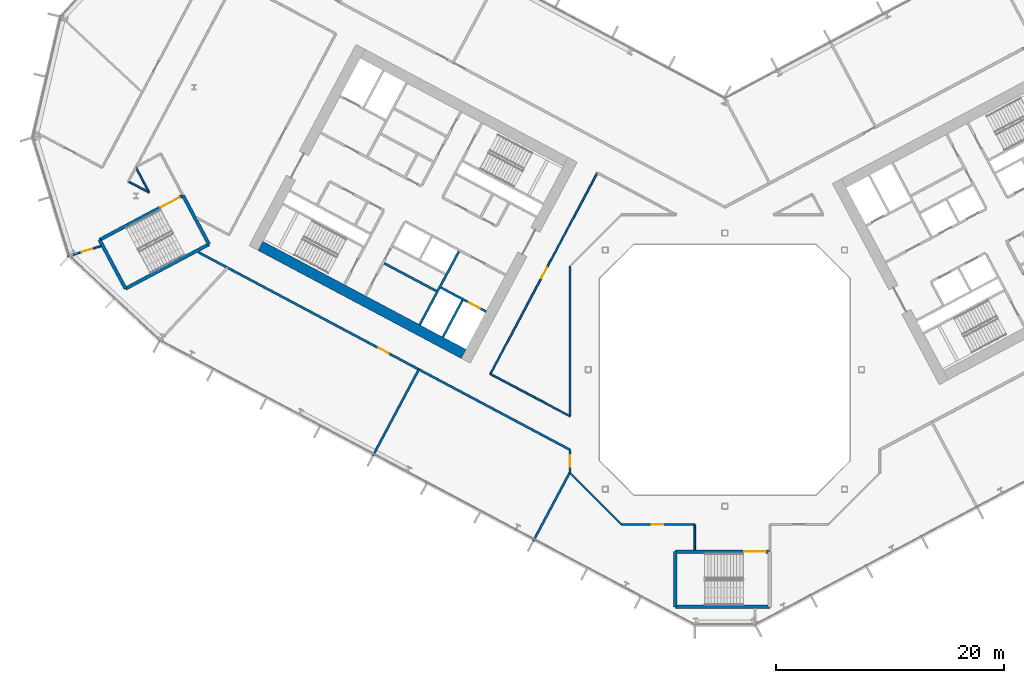
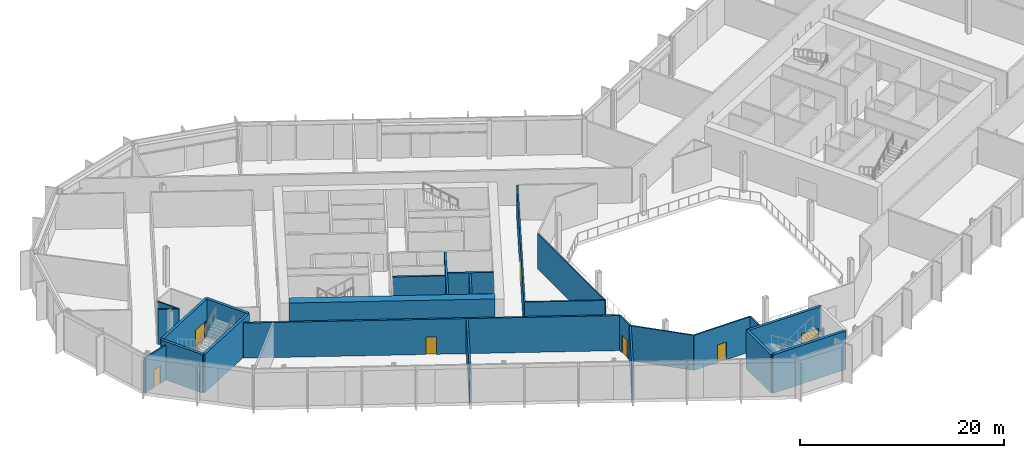
# One storey, part 14 of 31: 25 walls, 8 doors, 8 openings.
"""IFC4 building model written with IfcOpenShell, lengths in metres."""

from ifc_helpers import new_model, si_unit, direction, frame, frame_2d, origin, place, context, subcontext, project, spatial, rectangle, extrude, material, layer, layer_set, type_object, element, fill, save


model = new_model("IFC4")

# Units and contexts
model_context = context("Model", 3, precision=1e-05, world=origin(), true_north=direction((0.0, 1.0)))
body_context = subcontext(model_context, "Body", "Model", "MODEL_VIEW")
ifc_project = project(units=[si_unit("LENGTHUNIT", "METRE"), si_unit("AREAUNIT", "SQUARE_METRE"), si_unit("VOLUMEUNIT", "CUBIC_METRE"), si_unit("PLANEANGLEUNIT", "RADIAN"), si_unit("MASSUNIT", "GRAM", prefix="KILO")], contexts=[model_context])

# Site, building, storey
site_placement = place(None, origin())
site = spatial("IfcSite", under=ifc_project, at=site_placement, CompositionType="ELEMENT")
building_placement = place(site_placement, origin())
building = spatial("IfcBuilding", under=site, at=building_placement, Name="Cormorant Relay Tower", CompositionType="ELEMENT")
storey_placement = place(building_placement, frame((0.0, 0.0, 103.0)))
storey = spatial("IfcBuildingStorey", under=building, at=storey_placement, Name="L20", CompositionType="ELEMENT", Elevation=103.0)

# Walls
ifc_material_1 = material(Name="Concrete 40 MPa", Category="concrete")
ifc_layer_1 = layer(ifc_material_1, 0.199951171875)
ifc_layer_set_1 = layer_set([ifc_layer_1], Name="Core internal wall 200")
wall_type_1 = type_object("IfcWallType", Name="Core internal wall 200", PredefinedType="SOLIDWALL", material=ifc_layer_set_1)
wall_1_placement = place(storey_placement, frame((-25.326416015625, 6.8974609375, 0.0), z_axis=(0.0, 0.0, 1.0), x_axis=(-0.882953967957, 0.469459572775, 0.0)))
element("IfcWall", 1, at=wall_1_placement, inside=storey, type_object=wall_type_1, Name="L20 core A shaft and room wall", PredefinedType="SOLIDWALL", context=body_context, shape_type="SweptSolid", body=[
    extrude(rectangle(XDim=5.199951171875, YDim=0.199951171875, at=frame_2d((2.60009765625, 0.0))), origin(), (0.0, 0.0, 1.0), 4.60009765625),
])
ifc_material_2 = material(Name="Concrete 50 MPa", Category="concrete")
ifc_layer_2 = layer(ifc_material_2, 0.199951171875)
ifc_layer_set_2 = layer_set([ifc_layer_2], Name="Core shaft wall 200")
wall_type_2 = type_object("IfcWallType", Name="Core shaft wall 200", PredefinedType="SHEAR", material=ifc_layer_set_2)
wall_2_placement = place(storey_placement, frame((-23.04296875, 6.07958984375, 0.0), z_axis=(0.0, 0.0, 1.0), x_axis=(-0.469494272526, -0.882935517501, 0.0)))
element("IfcWall", 2, at=wall_2_placement, inside=storey, type_object=wall_type_2, Name="L20 core A shaft wall", PredefinedType="SHEAR", context=body_context, shape_type="SweptSolid", body=[
    extrude(rectangle(XDim=3.64990234375, YDim=0.199951171875, at=frame_2d((1.824951171875, 0.0))), origin(), (0.0, 0.0, 1.0), 4.60009765625),
])
wall_3_placement = place(storey_placement, frame((-23.360107421875, 10.38232421875, 0.0), z_axis=(0.0, 0.0, 1.0), x_axis=(-0.469480409012, -0.88294288918, 0.0)))
element("IfcWall", 3, at=wall_3_placement, inside=storey, type_object=wall_type_2, Name="L20 core A shaft wall", PredefinedType="SHEAR", context=body_context, shape_type="SweptSolid", body=[
    extrude(rectangle(XDim=7.300048828125, YDim=0.199951171875, at=frame_2d((3.64990234375, 0.0))), origin(), (0.0, 0.0, 1.0), 4.60009765625),
])

# Wall, opening, door
wall_4_placement = place(storey_placement, frame((-20.96533203125, 5.088134765625, 0.0), z_axis=(0.0, 0.0, 1.0), x_axis=(-0.882925986334, 0.469512196493, 0.0)))
wall_4 = element("IfcWall", 4, at=wall_4_placement, inside=storey, type_object=wall_type_2, Name="L20 core A shaft wall", PredefinedType="SHEAR", context=body_context, shape_type="SweptSolid", body=[
    extrude(rectangle(XDim=4.5, YDim=0.199951171875, at=frame_2d((2.25, 0.0))), origin(), (0.0, 0.0, 1.0), 4.60009765625),
])
opening_1_placement = place(wall_4_placement, frame((0.60009765625, 0.0, 0.0)))
opening_1 = element("IfcOpeningElement", 5, at=opening_1_placement, cuts=wall_4, Name="Opening LD1-027", PredefinedType="OPENING", context=body_context, shape_type="SweptSolid", body=[
    extrude(rectangle(XDim=1.10009765625, YDim=2.10009765625, at=frame_2d((0.550048828125, 1.050048828125))), frame((0.0, 0.10986328125, 0.0), z_axis=(0.0, -1.0, 0.0), x_axis=(1.0, 0.0, 0.0)), (0.0, 0.0, 1.0), 0.219970703125),
])
ifc_material_3 = material(Name="Stainless steel 316", Category="steel")
door_type_1 = type_object("IfcDoorType", Name="Lift landing door 1100x2100", OperationType="DOUBLE_DOOR_SLIDING", PredefinedType="DOOR", material=ifc_material_3)
door_1_placement = place(opening_1_placement, origin())
door_1 = element("IfcDoor", 6, at=door_1_placement, inside=storey, type_object=door_type_1, Name="FF1 landing door", OperationType="DOUBLE_DOOR_SLIDING", OverallHeight=2.10009765625, OverallWidth=1.10009765625, PredefinedType="DOOR", context=body_context, shape_type="SweptSolid", body=[
    extrude(rectangle(XDim=1.10009765625, YDim=2.10009765625, at=frame_2d((0.550048828125, 1.050048828125))), frame((0.0, 0.02490234375, 0.0), z_axis=(0.0, -1.0, 0.0), x_axis=(1.0, 0.0, 0.0)), (0.0, 0.0, 1.0), 0.050048828125),
])
fill(opening_1, door_1)

# Walls
ifc_material_4 = material(Name="Concrete 70 MPa", Category="concrete")
ifc_layer_3 = layer(ifc_material_4, 0.89990234375)
ifc_layer_set_3 = layer_set([ifc_layer_3], Name="Core wall 900")
wall_type_3 = type_object("IfcWallType", Name="Core wall 900", PredefinedType="SHEAR", material=ifc_layer_set_3)
wall_5_placement = place(storey_placement, frame((-22.93701171875, 1.3798828125, 0.0), z_axis=(0.0, 0.0, 1.0), x_axis=(-0.88295276571, 0.46946183394, 0.0)))
element("IfcWall", 7, at=wall_5_placement, inside=storey, type_object=wall_type_3, Name="L20 core A wall", PredefinedType="SHEAR", context=body_context, shape_type="SweptSolid", body=[
    extrude(rectangle(XDim=20.199951171875, YDim=0.89990234375, at=frame_2d((10.10009765625, 0.0))), origin(), (0.0, 0.0, 1.0), 4.60009765625),
])
ifc_material_5 = material(Name="Fire-rated gypsum board partition")
ifc_layer_4 = layer(ifc_material_5, 0.199951171875)
ifc_layer_set_4 = layer_set([ifc_layer_4], Name="Fire-rated gypsum partition 200")
wall_type_4 = type_object("IfcWallType", Name="Fire-rated gypsum partition 200", PredefinedType="PARTITIONING", material=ifc_layer_set_4)
wall_6_placement = place(storey_placement, frame((-26.87109375, 0.01708984375, 0.0), z_axis=(0.0, 0.0, 1.0), x_axis=(-0.469522575087, -0.882920467247, 0.0)))
element("IfcWall", 8, at=wall_6_placement, inside=storey, type_object=wall_type_4, Name="wall/L20/part/7", PredefinedType="PARTITIONING", context=body_context, shape_type="SweptSolid", body=[
    extrude(rectangle(XDim=8.599853515625, YDim=0.199951171875, at=frame_2d((4.2998046875, 0.0))), origin(), (0.0, 0.0, 1.0), 4.199951171875),
])

# Wall, opening, door
wall_7_placement = place(storey_placement, frame((-13.60009765625, -9.076904296875, 0.0), z_axis=(0.0, 0.0, 1.0), x_axis=(0.0, 1.0, 0.0)))
wall_7 = element("IfcWall", 9, at=wall_7_placement, inside=storey, type_object=wall_type_4, Name="wall/L20/part/16", PredefinedType="PARTITIONING", context=body_context, shape_type="SweptSolid", body=[
    extrude(rectangle(XDim=2.037841796875, YDim=0.199951171875, at=frame_2d((1.01904296875, 0.0))), origin(), (0.0, 0.0, 1.0), 4.199951171875),
])
opening_2_placement = place(wall_7_placement, frame((0.550048828125, 0.0, 0.0)))
opening_2 = element("IfcOpeningElement", 10, at=opening_2_placement, cuts=wall_7, Name="Opening FD1-107", PredefinedType="OPENING", context=body_context, shape_type="SweptSolid", body=[
    extrude(rectangle(XDim=1.0, YDim=2.10009765625, at=frame_2d((0.5, 1.050048828125))), frame((0.0, 0.10986328125, 0.0), z_axis=(0.0, -1.0, 0.0), x_axis=(1.0, 0.0, 0.0)), (0.0, 0.0, 1.0), 0.219970703125),
])
ifc_material_6 = material(Name="Fire-rated steel door", Category="steel")
door_type_2 = type_object("IfcDoorType", Name="Fire door 1000 x 2100", OperationType="SINGLE_SWING_LEFT", PredefinedType="DOOR", material=ifc_material_6)
door_2_placement = place(opening_2_placement, origin())
door_2 = element("IfcDoor", 11, at=door_2_placement, inside=storey, type_object=door_type_2, Name="door/L20/19", OperationType="SINGLE_SWING_RIGHT", OverallHeight=2.10009765625, OverallWidth=1.0, PredefinedType="DOOR", context=body_context, shape_type="SweptSolid", body=[
    extrude(rectangle(XDim=1.0, YDim=2.10009765625, at=frame_2d((0.5, 1.050048828125))), frame((0.0, 0.02490234375, 0.0), z_axis=(0.0, -1.0, 0.0), x_axis=(1.0, 0.0, 0.0)), (0.0, 0.0, 1.0), 0.050048828125),
])
fill(opening_2, door_2)

wall_8_placement = place(storey_placement, frame((-13.60009765625, -7.0390625, 0.0), z_axis=(0.0, 0.0, 1.0), x_axis=(-0.882948807105, 0.469469279113, 0.0)))
wall_8 = element("IfcWall", 12, at=wall_8_placement, inside=storey, type_object=wall_type_4, Name="wall/L20/part/17", PredefinedType="PARTITIONING", context=body_context, shape_type="SweptSolid", body=[
    extrude(rectangle(XDim=36.99853515625, YDim=0.199951171875, at=frame_2d((18.499267578125, 0.0))), origin(), (0.0, 0.0, 1.0), 4.199951171875),
])
opening_3_placement = place(wall_8_placement, frame((18.050048828125, 0.0, 0.0)))
opening_3 = element("IfcOpeningElement", 13, at=opening_3_placement, cuts=wall_8, Name="Opening FD1-106", PredefinedType="OPENING", context=body_context, shape_type="SweptSolid", body=[
    extrude(rectangle(XDim=1.0, YDim=2.10009765625, at=frame_2d((0.5, 1.050048828125))), frame((0.0, 0.10986328125, 0.0), z_axis=(0.0, -1.0, 0.0), x_axis=(1.0, 0.0, 0.0)), (0.0, 0.0, 1.0), 0.219970703125),
])
door_3_placement = place(opening_3_placement, origin())
door_3 = element("IfcDoor", 14, at=door_3_placement, inside=storey, type_object=door_type_2, Name="door/L20/18", OperationType="SINGLE_SWING_LEFT", OverallHeight=2.10009765625, OverallWidth=1.0, PredefinedType="DOOR", context=body_context, shape_type="SweptSolid", body=[
    extrude(rectangle(XDim=1.0, YDim=2.10009765625, at=frame_2d((0.5, 1.050048828125))), frame((0.0, 0.02490234375, 0.0), z_axis=(0.0, -1.0, 0.0), x_axis=(1.0, 0.0, 0.0)), (0.0, 0.0, 1.0), 0.050048828125),
])
fill(opening_3, door_3)

# Wall
wall_9_placement = place(storey_placement, frame((-13.60009765625, -8.998046875, 0.0), z_axis=(0.0, 0.0, 1.0), x_axis=(-0.469531053644, -0.882915958438, 0.0)))
element("IfcWall", 15, at=wall_9_placement, inside=storey, type_object=wall_type_4, Name="wall/L20/part/20", PredefinedType="PARTITIONING", context=body_context, shape_type="SweptSolid", body=[
    extrude(rectangle(XDim=6.870361328125, YDim=0.199951171875, at=frame_2d((3.43505859375, 0.0))), origin(), (0.0, 0.0, 1.0), 4.199951171875),
])

# Wall, opening, door
ifc_material_7 = material(Name="Gypsum board partition")
ifc_layer_5 = layer(ifc_material_7, 0.14990234375)
ifc_layer_set_5 = layer_set([ifc_layer_5], Name="Gypsum board partition 150")
wall_type_5 = type_object("IfcWallType", Name="Gypsum board partition 150", PredefinedType="PARTITIONING", material=ifc_layer_set_5)
wall_10_placement = place(storey_placement, frame((-54.7607421875, 10.847900390625, 0.0), z_axis=(0.0, 0.0, 1.0), x_axis=(-0.956301064033, -0.29238378021, 0.0)))
wall_10 = element("IfcWall", 16, at=wall_10_placement, inside=storey, type_object=wall_type_5, Name="wall/L20/part/5", PredefinedType="PARTITIONING", context=body_context, shape_type="SweptSolid", body=[
    extrude(rectangle(XDim=3.115478515625, YDim=0.14990234375, at=frame_2d((1.5576171875, 0.0))), origin(), (0.0, 0.0, 1.0), 4.199951171875),
])
opening_4_placement = place(wall_10_placement, frame((0.820068359375, 0.0, 0.0)))
opening_4 = element("IfcOpeningElement", 17, at=opening_4_placement, cuts=wall_10, Name="Opening D2-012", PredefinedType="OPENING", context=body_context, shape_type="SweptSolid", body=[
    extrude(rectangle(XDim=0.949951171875, YDim=2.10009765625, at=frame_2d((0.47509765625, 1.050048828125))), frame((0.0, 0.0849609375, 0.0), z_axis=(0.0, -1.0, 0.0), x_axis=(1.0, 0.0, 0.0)), (0.0, 0.0, 1.0), 0.169921875),
])
ifc_material_8 = material(Name="Timber door", Category="wood")
door_type_3 = type_object("IfcDoorType", Name="Toilet door 950 x 2100", OperationType="SINGLE_SWING_LEFT", PredefinedType="DOOR", material=ifc_material_8)
door_4_placement = place(opening_4_placement, origin())
door_4 = element("IfcDoor", 18, at=door_4_placement, inside=storey, type_object=door_type_3, Name="door/L20/17", OperationType="SINGLE_SWING_RIGHT", OverallHeight=2.10009765625, OverallWidth=0.949951171875, PredefinedType="DOOR", context=body_context, shape_type="SweptSolid", body=[
    extrude(rectangle(XDim=0.949951171875, YDim=2.10009765625, at=frame_2d((0.47509765625, 1.050048828125))), frame((0.0, 0.02490234375, 0.0), z_axis=(0.0, -1.0, 0.0), x_axis=(1.0, 0.0, 0.0)), (0.0, 0.0, 1.0), 0.050048828125),
])
fill(opening_4, door_4)

# Walls
wall_11_placement = place(storey_placement, frame((-13.60009765625, -9.076904296875, 0.0), z_axis=(0.0, 0.0, 1.0), x_axis=(0.707106781187, -0.707106781187, 0.0)))
element("IfcWall", 19, at=wall_11_placement, inside=storey, type_object=wall_type_5, Name="wall/L20/part/23", PredefinedType="PARTITIONING", context=body_context, shape_type="SweptSolid", body=[
    extrude(rectangle(XDim=6.396728515625, YDim=0.14990234375, at=frame_2d((3.1982421875, 0.0))), origin(), (0.0, 0.0, 1.0), 4.199951171875),
])
wall_12_placement = place(storey_placement, frame((-2.64892578125, -15.840087890625, 0.0), z_axis=(0.0, 0.0, 1.0), x_axis=(0.0, 1.0, 0.0)))
element("IfcWall", 20, at=wall_12_placement, inside=storey, type_object=wall_type_5, Name="wall/L20/part/24", PredefinedType="PARTITIONING", context=body_context, shape_type="SweptSolid", body=[
    extrude(rectangle(XDim=2.239990234375, YDim=0.14990234375, at=frame_2d((1.1201171875, 0.0))), origin(), (0.0, 0.0, 1.0), 4.199951171875),
])

# Wall, opening, door
wall_13_placement = place(storey_placement, frame((-2.64892578125, -13.60009765625, 0.0), z_axis=(0.0, 0.0, 1.0), x_axis=(-1.0, 0.0, 0.0)))
wall_13 = element("IfcWall", 21, at=wall_13_placement, inside=storey, type_object=wall_type_5, Name="wall/L20/part/25", PredefinedType="PARTITIONING", context=body_context, shape_type="SweptSolid", body=[
    extrude(rectangle(XDim=6.427978515625, YDim=0.14990234375, at=frame_2d((3.2138671875, 0.0))), origin(), (0.0, 0.0, 1.0), 4.199951171875),
])
opening_5_placement = place(wall_13_placement, frame((2.75, 0.0, 0.0)))
opening_5 = element("IfcOpeningElement", 22, at=opening_5_placement, cuts=wall_13, Name="Opening D1-042", PredefinedType="OPENING", context=body_context, shape_type="SweptSolid", body=[
    extrude(rectangle(XDim=1.0, YDim=2.10009765625, at=frame_2d((0.5, 1.050048828125))), frame((0.0, 0.0849609375, 0.0), z_axis=(0.0, -1.0, 0.0), x_axis=(1.0, 0.0, 0.0)), (0.0, 0.0, 1.0), 0.169921875),
])
ifc_material_9 = material(Name="Painted steel door", Category="steel")
door_type_4 = type_object("IfcDoorType", Name="Single door 1000 x 2100", OperationType="SINGLE_SWING_LEFT", PredefinedType="DOOR", material=ifc_material_9)
door_5_placement = place(opening_5_placement, origin())
door_5 = element("IfcDoor", 23, at=door_5_placement, inside=storey, type_object=door_type_4, Name="door/L20/20", OperationType="SINGLE_SWING_LEFT", OverallHeight=2.10009765625, OverallWidth=1.0, PredefinedType="DOOR", context=body_context, shape_type="SweptSolid", body=[
    extrude(rectangle(XDim=1.0, YDim=2.10009765625, at=frame_2d((0.5, 1.050048828125))), frame((0.0, 0.02490234375, 0.0), z_axis=(0.0, -1.0, 0.0), x_axis=(1.0, 0.0, 0.0)), (0.0, 0.0, 1.0), 0.050048828125),
])
fill(opening_5, door_5)

# Walls
wall_14_placement = place(storey_placement, frame((-52.3740234375, 16.52197265625, 0.0), z_axis=(0.0, 0.0, 1.0), x_axis=(0.882981472085, -0.469407839682, 0.0)))
element("IfcWall", 24, at=wall_14_placement, inside=storey, type_object=wall_type_5, Name="wall/L20/part/53", PredefinedType="PARTITIONING", context=body_context, shape_type="SweptSolid", body=[
    extrude(rectangle(XDim=2.072509765625, YDim=0.14990234375, at=frame_2d((1.0361328125, 0.0))), origin(), (0.0, 0.0, 1.0), 4.199951171875),
])
wall_15_placement = place(storey_placement, frame((-50.5439453125, 15.549072265625, 0.0), z_axis=(0.0, 0.0, 1.0), x_axis=(-0.469183782948, 0.883100547967, 0.0)))
element("IfcWall", 25, at=wall_15_placement, inside=storey, type_object=wall_type_5, Name="wall/L20/part/54", PredefinedType="PARTITIONING", context=body_context, shape_type="SweptSolid", body=[
    extrude(rectangle(XDim=2.500244140625, YDim=0.14990234375, at=frame_2d((1.25, 0.0))), origin(), (0.0, 0.0, 1.0), 4.199951171875),
])

# Wall, opening, door
wall_16_placement = place(storey_placement, frame((-20.587890625, -0.37890625, 0.0), z_axis=(0.0, 0.0, 1.0), x_axis=(0.469489882812, 0.882937851685, 0.0)))
wall_16 = element("IfcWall", 26, at=wall_16_placement, inside=storey, type_object=wall_type_5, Name="wall/L20/part/56", PredefinedType="PARTITIONING", context=body_context, shape_type="SweptSolid", body=[
    extrude(rectangle(XDim=20.000244140625, YDim=0.14990234375, at=frame_2d((10.0, 0.0))), origin(), (0.0, 0.0, 1.0), 4.199951171875),
])
opening_6_placement = place(wall_16_placement, frame((9.550048828125, 0.0, 0.0)))
opening_6 = element("IfcOpeningElement", 27, at=opening_6_placement, cuts=wall_16, Name="Opening D1-031", PredefinedType="OPENING", context=body_context, shape_type="SweptSolid", body=[
    extrude(rectangle(XDim=1.0, YDim=2.10009765625, at=frame_2d((0.5, 1.050048828125))), frame((0.0, 0.0849609375, 0.0), z_axis=(0.0, -1.0, 0.0), x_axis=(1.0, 0.0, 0.0)), (0.0, 0.0, 1.0), 0.169921875),
])
door_6_placement = place(opening_6_placement, frame((1.0, 0.0, 0.0), z_axis=(0.0, 0.0, 1.0), x_axis=(-1.0, 0.0, 0.0)))
door_6 = element("IfcDoor", 28, at=door_6_placement, inside=storey, type_object=door_type_4, Name="door/L20/4", OperationType="SINGLE_SWING_LEFT", OverallHeight=2.10009765625, OverallWidth=1.0, PredefinedType="DOOR", context=body_context, shape_type="SweptSolid", body=[
    extrude(rectangle(XDim=1.0, YDim=2.10009765625, at=frame_2d((0.5, 1.050048828125))), frame((0.0, 0.02490234375, 0.0), z_axis=(0.0, -1.0, 0.0), x_axis=(1.0, 0.0, 0.0)), (0.0, 0.0, 1.0), 0.050048828125),
])
fill(opening_6, door_6)

# Walls
wall_17_placement = place(storey_placement, frame((-13.60009765625, 9.076904296875, 0.0), z_axis=(0.0, 0.0, 1.0), x_axis=(0.0, -1.0, 0.0)))
element("IfcWall", 29, at=wall_17_placement, inside=storey, type_object=wall_type_5, Name="wall/L20/part/60", PredefinedType="PARTITIONING", context=body_context, shape_type="SweptSolid", body=[
    extrude(rectangle(XDim=13.1708984375, YDim=0.14990234375, at=frame_2d((6.58544921875, 0.0))), origin(), (0.0, 0.0, 1.0), 4.199951171875),
])
wall_18_placement = place(storey_placement, frame((-13.60009765625, -4.093994140625, 0.0), z_axis=(0.0, 0.0, 1.0), x_axis=(-0.882967890474, 0.469433386533, 0.0)))
element("IfcWall", 30, at=wall_18_placement, inside=storey, type_object=wall_type_5, Name="wall/L20/part/61", PredefinedType="PARTITIONING", context=body_context, shape_type="SweptSolid", body=[
    extrude(rectangle(XDim=7.9140625, YDim=0.14990234375, at=frame_2d((3.95703125, 0.0))), origin(), (0.0, 0.0, 1.0), 4.199951171875),
])
ifc_material_10 = material(Name="Concrete 50 MPa", Category="concrete")
ifc_layer_6 = layer(ifc_material_10, 0.300048828125)
ifc_layer_set_6 = layer_set([ifc_layer_6], Name="Remote stair wall 300")
wall_type_6 = type_object("IfcWallType", Name="Remote stair wall 300", PredefinedType="SHEAR", material=ifc_layer_set_6)
wall_19_placement = place(storey_placement, frame((3.949951171875, -20.824951171875, 0.0), z_axis=(0.0, 0.0, 1.0), x_axis=(-1.0, 0.0, 0.0)))
element("IfcWall", 31, at=wall_19_placement, inside=storey, type_object=wall_type_6, Name="L20 exit stair RK1 wall", PredefinedType="SHEAR", context=body_context, shape_type="SweptSolid", body=[
    extrude(rectangle(XDim=8.300048828125, YDim=0.300048828125, at=frame_2d((4.14990234375, 0.0))), origin(), (0.0, 0.0, 1.0), 4.60009765625),
])
wall_20_placement = place(storey_placement, frame((-4.35009765625, -20.824951171875, 0.0), z_axis=(0.0, 0.0, 1.0), x_axis=(0.0, 1.0, 0.0)))
element("IfcWall", 32, at=wall_20_placement, inside=storey, type_object=wall_type_6, Name="L20 exit stair RK1 wall", PredefinedType="SHEAR", context=body_context, shape_type="SweptSolid", body=[
    extrude(rectangle(XDim=4.849853515625, YDim=0.300048828125, at=frame_2d((2.4248046875, 0.0))), origin(), (0.0, 0.0, 1.0), 4.60009765625),
])

# Wall, opening, door
wall_21_placement = place(storey_placement, frame((-4.35009765625, -15.97509765625, 0.0), z_axis=(0.0, 0.0, 1.0), x_axis=(1.0, 0.0, 0.0)))
wall_21 = element("IfcWall", 33, at=wall_21_placement, inside=storey, type_object=wall_type_6, Name="L20 exit stair RK1 wall", PredefinedType="SHEAR", context=body_context, shape_type="SweptSolid", body=[
    extrude(rectangle(XDim=8.300048828125, YDim=0.300048828125, at=frame_2d((4.14990234375, 0.0))), origin(), (0.0, 0.0, 1.0), 4.60009765625),
])
opening_7_placement = place(wall_21_placement, frame((6.050048828125, 0.0, 0.0)))
opening_7 = element("IfcOpeningElement", 34, at=opening_7_placement, cuts=wall_21, Name="Opening CDE-008", PredefinedType="OPENING", context=body_context, shape_type="SweptSolid", body=[
    extrude(rectangle(XDim=1.89990234375, YDim=2.10009765625, at=frame_2d((0.949951171875, 1.050048828125))), frame((0.0, 0.159912109375, 0.0), z_axis=(0.0, -1.0, 0.0), x_axis=(1.0, 0.0, 0.0)), (0.0, 0.0, 1.0), 0.320068359375),
])
ifc_material_11 = material(Name="Steel fire door", Category="steel")
door_type_5 = type_object("IfcDoorType", Name="Remote stair door 1900x2100", OperationType="DOUBLE_DOOR_SINGLE_SWING", PredefinedType="DOOR", material=ifc_material_11)
door_7_placement = place(opening_7_placement, frame((1.89990234375, 0.0, 0.0), z_axis=(0.0, 0.0, 1.0), x_axis=(-1.0, 0.0, 0.0)))
door_7 = element("IfcDoor", 35, at=door_7_placement, inside=storey, type_object=door_type_5, Name="Exit stair RK1 door", OperationType="DOUBLE_DOOR_SINGLE_SWING", OverallHeight=2.10009765625, OverallWidth=1.89990234375, PredefinedType="DOOR", context=body_context, shape_type="SweptSolid", body=[
    extrude(rectangle(XDim=1.89990234375, YDim=2.10009765625, at=frame_2d((0.949951171875, 1.050048828125))), frame((0.0, 0.02490234375, 0.0), z_axis=(0.0, -1.0, 0.0), x_axis=(1.0, 0.0, 0.0)), (0.0, 0.0, 1.0), 0.050048828125),
])
fill(opening_7, door_7)

# Walls
wall_22_placement = place(storey_placement, frame((-47.57421875, 15.28955078125, 0.0), z_axis=(0.0, 0.0, 1.0), x_axis=(0.469443498566, -0.882962514297, 0.0)))
element("IfcWall", 36, at=wall_22_placement, inside=storey, type_object=wall_type_6, Name="L20 exit stair RP1 wall", PredefinedType="SHEAR", context=body_context, shape_type="SweptSolid", body=[
    extrude(rectangle(XDim=4.85009765625, YDim=0.300048828125, at=frame_2d((2.425048828125, 0.0))), origin(), (0.0, 0.0, 1.0), 4.60009765625),
])
wall_23_placement = place(storey_placement, frame((-45.29736328125, 11.007080078125, 0.0), z_axis=(0.0, 0.0, 1.0), x_axis=(-0.882951519127, -0.469464178475, 0.0)))
element("IfcWall", 37, at=wall_23_placement, inside=storey, type_object=wall_type_6, Name="L20 exit stair RP1 wall", PredefinedType="SHEAR", context=body_context, shape_type="SweptSolid", body=[
    extrude(rectangle(XDim=8.2998046875, YDim=0.300048828125, at=frame_2d((4.14990234375, 0.0))), origin(), (0.0, 0.0, 1.0), 4.60009765625),
])
wall_24_placement = place(storey_placement, frame((-52.625732421875, 7.110595703125, 0.0), z_axis=(0.0, 0.0, 1.0), x_axis=(-0.469464364128, 0.882951420416, 0.0)))
element("IfcWall", 38, at=wall_24_placement, inside=storey, type_object=wall_type_6, Name="L20 exit stair RP1 wall", PredefinedType="SHEAR", context=body_context, shape_type="SweptSolid", body=[
    extrude(rectangle(XDim=4.849853515625, YDim=0.300048828125, at=frame_2d((2.4248046875, 0.0))), origin(), (0.0, 0.0, 1.0), 4.60009765625),
])

# Wall, opening, door
wall_25_placement = place(storey_placement, frame((-54.902587890625, 11.392822265625, 0.0), z_axis=(0.0, 0.0, 1.0), x_axis=(0.882939326045, 0.469487110071, 0.0)))
wall_25 = element("IfcWall", 39, at=wall_25_placement, inside=storey, type_object=wall_type_6, Name="L20 exit stair RP1 wall", PredefinedType="SHEAR", context=body_context, shape_type="SweptSolid", body=[
    extrude(rectangle(XDim=8.300048828125, YDim=0.300048828125, at=frame_2d((4.14990234375, 0.0))), origin(), (0.0, 0.0, 1.0), 4.60009765625),
])
opening_8_placement = place(wall_25_placement, frame((6.050048828125, 0.0, 0.0)))
opening_8 = element("IfcOpeningElement", 40, at=opening_8_placement, cuts=wall_25, Name="Opening CDE-009", PredefinedType="OPENING", context=body_context, shape_type="SweptSolid", body=[
    extrude(rectangle(XDim=1.89990234375, YDim=2.10009765625, at=frame_2d((0.949951171875, 1.050048828125))), frame((0.0, 0.159912109375, 0.0), z_axis=(0.0, -1.0, 0.0), x_axis=(1.0, 0.0, 0.0)), (0.0, 0.0, 1.0), 0.320068359375),
])
door_8_placement = place(opening_8_placement, frame((1.89990234375, 0.0, 0.0), z_axis=(0.0, 0.0, 1.0), x_axis=(-1.0, 0.0, 0.0)))
door_8 = element("IfcDoor", 41, at=door_8_placement, inside=storey, type_object=door_type_5, Name="Exit stair RP1 door", OperationType="DOUBLE_DOOR_SINGLE_SWING", OverallHeight=2.10009765625, OverallWidth=1.89990234375, PredefinedType="DOOR", context=body_context, shape_type="SweptSolid", body=[
    extrude(rectangle(XDim=1.89990234375, YDim=2.10009765625, at=frame_2d((0.949951171875, 1.050048828125))), frame((0.0, 0.02490234375, 0.0), z_axis=(0.0, -1.0, 0.0), x_axis=(1.0, 0.0, 0.0)), (0.0, 0.0, 1.0), 0.050048828125),
])
fill(opening_8, door_8)

save(model, "model.ifc")
